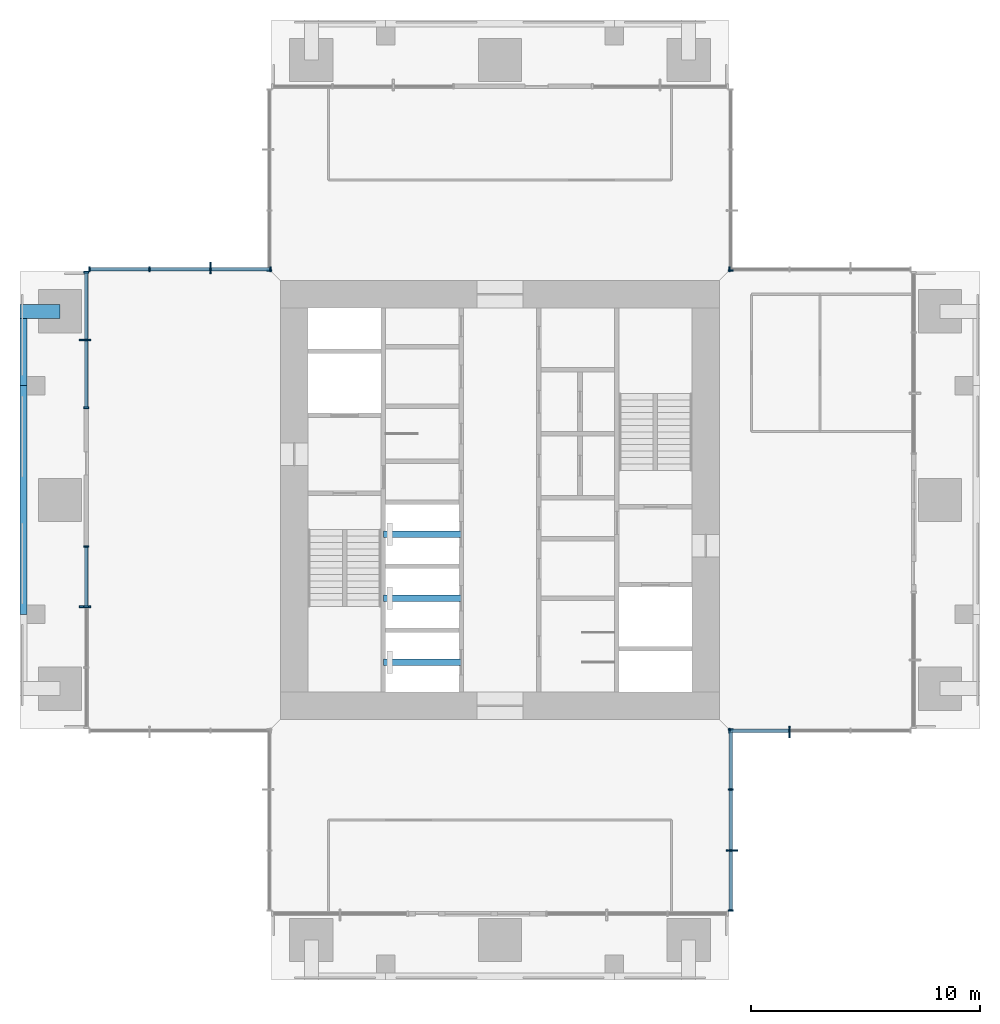
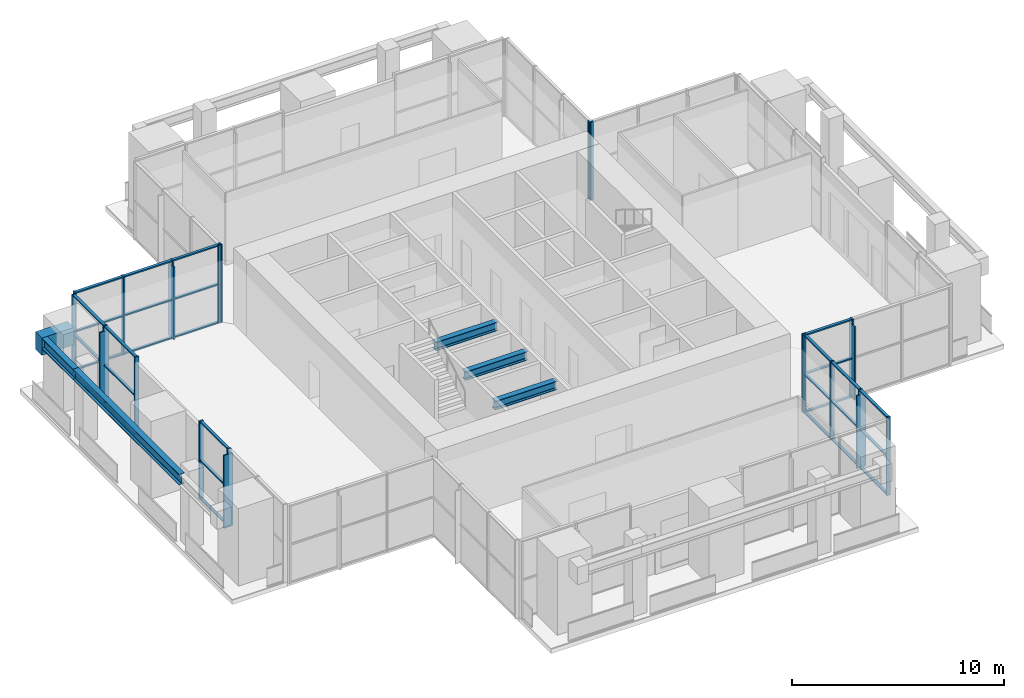
# One storey, part 3 of 11: 53 members, 6 beams, 8 elements without a shape of their own.
"""IFC4 building model written with IfcOpenShell, lengths in metres."""

from ifc_helpers import new_model, si_unit, direction, frame, origin, origin_2d, place, context, subcontext, project, spatial, rectangle, i_section, extrude, material, material_profile, profile_set, type_object, element, aggregate, save


model = new_model("IFC4")

# Units and contexts
model_context = context("Model", 3, precision=1e-05, world=origin(), true_north=direction((0.0, 1.0)))
body_context = subcontext(model_context, "Body", "Model", "MODEL_VIEW")
ifc_project = project(units=[si_unit("LENGTHUNIT", "METRE"), si_unit("AREAUNIT", "SQUARE_METRE"), si_unit("VOLUMEUNIT", "CUBIC_METRE"), si_unit("PLANEANGLEUNIT", "RADIAN"), si_unit("MASSUNIT", "GRAM", prefix="KILO")], contexts=[model_context])

# Site, building, storey
site_placement = place(None, origin())
site = spatial("IfcSite", under=ifc_project, at=site_placement, CompositionType="ELEMENT")
building_placement = place(site_placement, origin())
building = spatial("IfcBuilding", under=site, at=building_placement, Name="Svetlomir Tower", CompositionType="ELEMENT")
storey_placement = place(building_placement, frame((0.0, 0.0, 273.39990234375)))
storey = spatial("IfcBuildingStorey", under=building, at=storey_placement, Name="L65", CompositionType="ELEMENT", Elevation=273.39990234375)

# Curtain wall, member
ifc_material_1 = material(Name="Bronze anodised aluminium curtain wall", Category="aluminium")
curtain_wall_type = type_object("IfcCurtainWallType", Name="CURTAIN WALL CW4 EXECUTIVE", PredefinedType="NOTDEFINED", material=ifc_material_1)
curtain_wall_1_placement = place(storey_placement, origin())
curtain_wall_1 = element("IfcCurtainWall", 1, at=curtain_wall_1_placement, inside=storey, type_object=curtain_wall_type, Name="Curtain wall CW4 L65", PredefinedType="NOTDEFINED")
ifc_material_2 = material(Name="Bronze anodised aluminium", Category="aluminium")
ifc_material_profile_1 = material_profile(ifc_material_2, rectangle(XDim=0.080078125, YDim=0.5, at=origin_2d()), Name="FIN 80x500")
ifc_profile_set_1 = profile_set([ifc_material_profile_1], Name="Bronze anodised aluminium 6063-T6")
member_type_1 = type_object("IfcMemberType", Name="BRONZE FIN 80x500", PredefinedType="USERDEFINED", material=ifc_profile_set_1)
member_1_placement = place(storey_placement, frame((31.14990234375, 5.666748046875, 0.0), z_axis=(0.0, 0.0, 1.0), x_axis=(0.0, 1.0, 0.0)))
member_1 = element("IfcMember", 2, at=member_1_placement, type_object=member_type_1, Name="Bronze fin L65", ObjectType="FIN", PredefinedType="USERDEFINED", context=body_context, shape_type="SweptSolid", body=[
    extrude(rectangle(XDim=0.080078125, YDim=0.5, at=origin_2d()), origin(), (0.0, 0.0, 1.0), 4.2001953125),
])

curtain_wall_2_placement = place(storey_placement, origin())
curtain_wall_2 = element("IfcCurtainWall", 3, at=curtain_wall_2_placement, inside=storey, type_object=curtain_wall_type, Name="Curtain wall CW4 L65", PredefinedType="NOTDEFINED")
member_2_placement = place(storey_placement, frame((33.666748046875, 10.85009765625, 0.0), z_axis=(0.0, 0.0, 1.0), x_axis=(1.0, 0.0, 0.0)))
member_2 = element("IfcMember", 4, at=member_2_placement, type_object=member_type_1, Name="Bronze fin L65", ObjectType="FIN", PredefinedType="USERDEFINED", context=body_context, shape_type="SweptSolid", body=[
    extrude(rectangle(XDim=0.080078125, YDim=0.5, at=origin_2d()), origin(), (0.0, 0.0, 1.0), 4.2001953125),
])

curtain_wall_3_placement = place(storey_placement, origin())
curtain_wall_3 = element("IfcCurtainWall", 5, at=curtain_wall_3_placement, inside=storey, type_object=curtain_wall_type, Name="Curtain wall CW4 L65", PredefinedType="NOTDEFINED")
member_3_placement = place(storey_placement, frame((8.333251953125, 31.14990234375, 0.0), z_axis=(0.0, 0.0, 1.0), x_axis=(1.0, 0.0, 0.0)))
member_3 = element("IfcMember", 6, at=member_3_placement, type_object=member_type_1, Name="Bronze fin L65", ObjectType="FIN", PredefinedType="USERDEFINED", context=body_context, shape_type="SweptSolid", body=[
    extrude(rectangle(XDim=0.080078125, YDim=0.5, at=origin_2d()), origin(), (0.0, 0.0, 1.0), 4.2001953125),
])

curtain_wall_4_placement = place(storey_placement, origin())
curtain_wall_4 = element("IfcCurtainWall", 7, at=curtain_wall_4_placement, inside=storey, type_object=curtain_wall_type, Name="Curtain wall CW4 L65", PredefinedType="NOTDEFINED")
member_4_placement = place(storey_placement, frame((2.85009765625, 28.0, 0.0), z_axis=(0.0, 0.0, 1.0), x_axis=(0.0, 1.0, 0.0)))
member_4 = element("IfcMember", 8, at=member_4_placement, type_object=member_type_1, Name="Bronze fin L65", ObjectType="FIN", PredefinedType="USERDEFINED", context=body_context, shape_type="SweptSolid", body=[
    extrude(rectangle(XDim=0.080078125, YDim=0.5, at=origin_2d()), origin(), (0.0, 0.0, 1.0), 4.2001953125),
])

curtain_wall_5_placement = place(storey_placement, origin())
curtain_wall_5 = element("IfcCurtainWall", 9, at=curtain_wall_5_placement, inside=storey, type_object=curtain_wall_type, Name="Curtain wall CW4 L65", PredefinedType="NOTDEFINED")
member_5_placement = place(storey_placement, frame((2.85009765625, 16.333251953125, 0.0), z_axis=(0.0, 0.0, 1.0), x_axis=(0.0, 1.0, 0.0)))
member_5 = element("IfcMember", 10, at=member_5_placement, type_object=member_type_1, Name="Bronze fin L65", ObjectType="FIN", PredefinedType="USERDEFINED", context=body_context, shape_type="SweptSolid", body=[
    extrude(rectangle(XDim=0.080078125, YDim=0.5, at=origin_2d()), origin(), (0.0, 0.0, 1.0), 4.2001953125),
])

# Member
ifc_material_3 = material(Name="Bronze anodised aluminium", Category="aluminium")
ifc_material_profile_2 = material_profile(ifc_material_3, rectangle(XDim=0.074951171875, YDim=0.219970703125, at=origin_2d()), Name="AL 75x220")
ifc_profile_set_2 = profile_set([ifc_material_profile_2], Name="Bronze anodised aluminium 6063-T6")
member_type_2 = type_object("IfcMemberType", Name="CW4 MULLION 75x220", PredefinedType="MULLION", material=ifc_profile_set_2)
member_6_placement = place(storey_placement, frame((31.10009765625, 3.03759765625, 0.0), z_axis=(0.0, 0.0, 1.0), x_axis=(0.0, 1.0, 0.0)))
member_6 = element("IfcMember", 11, at=member_6_placement, type_object=member_type_2, Name="CW4 mullion 1", PredefinedType="MULLION", context=body_context, shape_type="SweptSolid", body=[
    extrude(rectangle(XDim=0.074951171875, YDim=0.219970703125, at=origin_2d()), origin(), (0.0, 0.0, 1.0), 4.5),
])

member_7_placement = place(storey_placement, frame((31.10009765625, 5.666748046875, 0.0), z_axis=(0.0, 0.0, 1.0), x_axis=(0.0, 1.0, 0.0)))
member_7 = element("IfcMember", 12, at=member_7_placement, type_object=member_type_2, Name="CW4 mullion 2", PredefinedType="MULLION", context=body_context, shape_type="SweptSolid", body=[
    extrude(rectangle(XDim=0.074951171875, YDim=0.219970703125, at=origin_2d()), origin(), (0.0, 0.0, 1.0), 4.5),
])

member_8_placement = place(storey_placement, frame((31.10009765625, 8.333251953125, 0.0), z_axis=(0.0, 0.0, 1.0), x_axis=(0.0, 1.0, 0.0)))
member_8 = element("IfcMember", 13, at=member_8_placement, type_object=member_type_2, Name="CW4 mullion 3", PredefinedType="MULLION", context=body_context, shape_type="SweptSolid", body=[
    extrude(rectangle(XDim=0.074951171875, YDim=0.219970703125, at=origin_2d()), origin(), (0.0, 0.0, 1.0), 4.5),
])

member_9_placement = place(storey_placement, frame((31.10009765625, 10.96240234375, 0.0), z_axis=(0.0, 0.0, 1.0), x_axis=(0.0, 1.0, 0.0)))
member_9 = element("IfcMember", 14, at=member_9_placement, type_object=member_type_2, Name="CW4 mullion 4", PredefinedType="MULLION", context=body_context, shape_type="SweptSolid", body=[
    extrude(rectangle(XDim=0.074951171875, YDim=0.219970703125, at=origin_2d()), origin(), (0.0, 0.0, 1.0), 4.5),
])

member_10_placement = place(storey_placement, frame((31.03759765625, 10.89990234375, 0.0), z_axis=(0.0, 0.0, 1.0), x_axis=(1.0, 0.0, 0.0)))
member_10 = element("IfcMember", 15, at=member_10_placement, type_object=member_type_2, Name="CW4 mullion 1", PredefinedType="MULLION", context=body_context, shape_type="SweptSolid", body=[
    extrude(rectangle(XDim=0.074951171875, YDim=0.219970703125, at=origin_2d()), origin(), (0.0, 0.0, 1.0), 4.5),
])

member_11_placement = place(storey_placement, frame((33.666748046875, 10.89990234375, 0.0), z_axis=(0.0, 0.0, 1.0), x_axis=(1.0, 0.0, 0.0)))
member_11 = element("IfcMember", 16, at=member_11_placement, type_object=member_type_2, Name="CW4 mullion 2", PredefinedType="MULLION", context=body_context, shape_type="SweptSolid", body=[
    extrude(rectangle(XDim=0.074951171875, YDim=0.219970703125, at=origin_2d()), origin(), (0.0, 0.0, 1.0), 4.5),
])

# Curtain wall, member
curtain_wall_6_placement = place(storey_placement, origin())
curtain_wall_6 = element("IfcCurtainWall", 17, at=curtain_wall_6_placement, inside=storey, type_object=curtain_wall_type, Name="Curtain wall CW4 L65", PredefinedType="NOTDEFINED")
member_12_placement = place(storey_placement, frame((31.03759765625, 31.10009765625, 0.0), z_axis=(0.0, 0.0, 1.0), x_axis=(-1.0, 0.0, 0.0)))
member_12 = element("IfcMember", 18, at=member_12_placement, type_object=member_type_2, Name="CW4 mullion 4", PredefinedType="MULLION", context=body_context, shape_type="SweptSolid", body=[
    extrude(rectangle(XDim=0.074951171875, YDim=0.219970703125, at=origin_2d()), origin(), (0.0, 0.0, 1.0), 4.5),
])
aggregate(curtain_wall_6, [member_12])

curtain_wall_7_placement = place(storey_placement, origin())
curtain_wall_7 = element("IfcCurtainWall", 19, at=curtain_wall_7_placement, inside=storey, type_object=curtain_wall_type, Name="Curtain wall CW4 L65", PredefinedType="NOTDEFINED")
member_13_placement = place(storey_placement, frame((31.10009765625, 31.03759765625, 0.0), z_axis=(0.0, 0.0, 1.0), x_axis=(0.0, 1.0, 0.0)))
member_13 = element("IfcMember", 20, at=member_13_placement, type_object=member_type_2, Name="CW4 mullion 1", PredefinedType="MULLION", context=body_context, shape_type="SweptSolid", body=[
    extrude(rectangle(XDim=0.074951171875, YDim=0.219970703125, at=origin_2d()), origin(), (0.0, 0.0, 1.0), 4.5),
])
aggregate(curtain_wall_7, [member_13])

curtain_wall_8_placement = place(storey_placement, origin())
curtain_wall_8 = element("IfcCurtainWall", 21, at=curtain_wall_8_placement, inside=storey, type_object=curtain_wall_type, Name="Curtain wall CW4 L65", PredefinedType="NOTDEFINED")
member_14_placement = place(storey_placement, frame((10.89990234375, 31.03759765625, 0.0), z_axis=(0.0, 0.0, 1.0), x_axis=(0.0, -1.0, 0.0)))
member_14 = element("IfcMember", 22, at=member_14_placement, type_object=member_type_2, Name="CW4 mullion 4", PredefinedType="MULLION", context=body_context, shape_type="SweptSolid", body=[
    extrude(rectangle(XDim=0.074951171875, YDim=0.219970703125, at=origin_2d()), origin(), (0.0, 0.0, 1.0), 4.5),
])
aggregate(curtain_wall_8, [member_14])

# Member
member_15_placement = place(storey_placement, frame((10.96240234375, 31.10009765625, 0.0), z_axis=(0.0, 0.0, 1.0), x_axis=(-1.0, 0.0, 0.0)))
member_15 = element("IfcMember", 23, at=member_15_placement, type_object=member_type_2, Name="CW4 mullion 1", PredefinedType="MULLION", context=body_context, shape_type="SweptSolid", body=[
    extrude(rectangle(XDim=0.074951171875, YDim=0.219970703125, at=origin_2d()), origin(), (0.0, 0.0, 1.0), 4.5),
])

member_16_placement = place(storey_placement, frame((8.333251953125, 31.10009765625, 0.0), z_axis=(0.0, 0.0, 1.0), x_axis=(-1.0, 0.0, 0.0)))
member_16 = element("IfcMember", 24, at=member_16_placement, type_object=member_type_2, Name="CW4 mullion 2", PredefinedType="MULLION", context=body_context, shape_type="SweptSolid", body=[
    extrude(rectangle(XDim=0.074951171875, YDim=0.219970703125, at=origin_2d()), origin(), (0.0, 0.0, 1.0), 4.5),
])

member_17_placement = place(storey_placement, frame((5.666748046875, 31.10009765625, 0.0), z_axis=(0.0, 0.0, 1.0), x_axis=(-1.0, 0.0, 0.0)))
member_17 = element("IfcMember", 25, at=member_17_placement, type_object=member_type_2, Name="CW4 mullion 3", PredefinedType="MULLION", context=body_context, shape_type="SweptSolid", body=[
    extrude(rectangle(XDim=0.074951171875, YDim=0.219970703125, at=origin_2d()), origin(), (0.0, 0.0, 1.0), 4.5),
])

member_18_placement = place(storey_placement, frame((3.03759765625, 31.10009765625, 0.0), z_axis=(0.0, 0.0, 1.0), x_axis=(-1.0, 0.0, 0.0)))
member_18 = element("IfcMember", 26, at=member_18_placement, type_object=member_type_2, Name="CW4 mullion 4", PredefinedType="MULLION", context=body_context, shape_type="SweptSolid", body=[
    extrude(rectangle(XDim=0.074951171875, YDim=0.219970703125, at=origin_2d()), origin(), (0.0, 0.0, 1.0), 4.5),
])

member_19_placement = place(storey_placement, frame((2.89990234375, 30.96240234375, 0.0), z_axis=(0.0, 0.0, 1.0), x_axis=(0.0, -1.0, 0.0)))
member_19 = element("IfcMember", 27, at=member_19_placement, type_object=member_type_2, Name="CW4 mullion 1", PredefinedType="MULLION", context=body_context, shape_type="SweptSolid", body=[
    extrude(rectangle(XDim=0.074951171875, YDim=0.219970703125, at=origin_2d()), origin(), (0.0, 0.0, 1.0), 4.5),
])

member_20_placement = place(storey_placement, frame((2.89990234375, 28.0, 0.0), z_axis=(0.0, 0.0, 1.0), x_axis=(0.0, -1.0, 0.0)))
member_20 = element("IfcMember", 28, at=member_20_placement, type_object=member_type_2, Name="CW4 mullion 2", PredefinedType="MULLION", context=body_context, shape_type="SweptSolid", body=[
    extrude(rectangle(XDim=0.074951171875, YDim=0.219970703125, at=origin_2d()), origin(), (0.0, 0.0, 1.0), 4.5),
])

member_21_placement = place(storey_placement, frame((2.89990234375, 25.03759765625, 0.0), z_axis=(0.0, 0.0, 1.0), x_axis=(0.0, -1.0, 0.0)))
member_21 = element("IfcMember", 29, at=member_21_placement, type_object=member_type_2, Name="CW4 mullion 3", PredefinedType="MULLION", context=body_context, shape_type="SweptSolid", body=[
    extrude(rectangle(XDim=0.074951171875, YDim=0.219970703125, at=origin_2d()), origin(), (0.0, 0.0, 1.0), 4.5),
])

member_22_placement = place(storey_placement, frame((2.89990234375, 18.96240234375, 0.0), z_axis=(0.0, 0.0, 1.0), x_axis=(0.0, -1.0, 0.0)))
member_22 = element("IfcMember", 30, at=member_22_placement, type_object=member_type_2, Name="CW4 mullion 1", PredefinedType="MULLION", context=body_context, shape_type="SweptSolid", body=[
    extrude(rectangle(XDim=0.074951171875, YDim=0.219970703125, at=origin_2d()), origin(), (0.0, 0.0, 1.0), 4.5),
])

member_23_placement = place(storey_placement, frame((2.89990234375, 16.333251953125, 0.0), z_axis=(0.0, 0.0, 1.0), x_axis=(0.0, -1.0, 0.0)))
member_23 = element("IfcMember", 31, at=member_23_placement, type_object=member_type_2, Name="CW4 mullion 2", PredefinedType="MULLION", context=body_context, shape_type="SweptSolid", body=[
    extrude(rectangle(XDim=0.074951171875, YDim=0.219970703125, at=origin_2d()), origin(), (0.0, 0.0, 1.0), 4.5),
])

ifc_material_4 = material(Name="Bronze anodised aluminium", Category="aluminium")
ifc_material_profile_3 = material_profile(ifc_material_4, rectangle(XDim=0.14990234375, YDim=0.074951171875, at=origin_2d()), Name="AL 150x75")
ifc_profile_set_3 = profile_set([ifc_material_profile_3], Name="Bronze anodised aluminium 6063-T6")
member_type_3 = type_object("IfcMemberType", Name="CW4 TRANSOM 75x150", PredefinedType="USERDEFINED", material=ifc_profile_set_3)
member_24_placement = place(storey_placement, frame((31.10009765625, 3.074951171875, 0.03759765625), z_axis=(0.0, 1.0, 0.0), x_axis=(-1.0, 0.0, 0.0)))
member_24 = element("IfcMember", 32, at=member_24_placement, type_object=member_type_3, Name="CW4 transom 1.1", ObjectType="TRANSOM", PredefinedType="USERDEFINED", context=body_context, shape_type="SweptSolid", body=[
    extrude(rectangle(XDim=0.14990234375, YDim=0.074951171875, at=origin_2d()), origin(), (0.0, 0.0, 1.0), 2.55419921875),
])

member_25_placement = place(storey_placement, frame((31.10009765625, 3.074951171875, 2.231201171875), z_axis=(0.0, 1.0, 0.0), x_axis=(-1.0, 0.0, 0.0)))
member_25 = element("IfcMember", 33, at=member_25_placement, type_object=member_type_3, Name="CW4 transom 1.2", ObjectType="TRANSOM", PredefinedType="USERDEFINED", context=body_context, shape_type="SweptSolid", body=[
    extrude(rectangle(XDim=0.14990234375, YDim=0.074951171875, at=origin_2d()), origin(), (0.0, 0.0, 1.0), 2.55419921875),
])

member_26_placement = place(storey_placement, frame((31.10009765625, 3.074951171875, 4.462646484375), z_axis=(0.0, 1.0, 0.0), x_axis=(-1.0, 0.0, 0.0)))
member_26 = element("IfcMember", 34, at=member_26_placement, type_object=member_type_3, Name="CW4 transom 1.3", ObjectType="TRANSOM", PredefinedType="USERDEFINED", context=body_context, shape_type="SweptSolid", body=[
    extrude(rectangle(XDim=0.14990234375, YDim=0.074951171875, at=origin_2d()), origin(), (0.0, 0.0, 1.0), 2.55419921875),
])

member_27_placement = place(storey_placement, frame((31.10009765625, 5.7041015625, 0.03759765625), z_axis=(0.0, 1.0, 0.0), x_axis=(-1.0, 0.0, 0.0)))
member_27 = element("IfcMember", 35, at=member_27_placement, type_object=member_type_3, Name="CW4 transom 2.1", ObjectType="TRANSOM", PredefinedType="USERDEFINED", context=body_context, shape_type="SweptSolid", body=[
    extrude(rectangle(XDim=0.14990234375, YDim=0.074951171875, at=origin_2d()), origin(), (0.0, 0.0, 1.0), 2.591796875),
])

member_28_placement = place(storey_placement, frame((31.10009765625, 5.7041015625, 2.231201171875), z_axis=(0.0, 1.0, 0.0), x_axis=(-1.0, 0.0, 0.0)))
member_28 = element("IfcMember", 36, at=member_28_placement, type_object=member_type_3, Name="CW4 transom 2.2", ObjectType="TRANSOM", PredefinedType="USERDEFINED", context=body_context, shape_type="SweptSolid", body=[
    extrude(rectangle(XDim=0.14990234375, YDim=0.074951171875, at=origin_2d()), origin(), (0.0, 0.0, 1.0), 2.591796875),
])

member_29_placement = place(storey_placement, frame((31.10009765625, 5.7041015625, 4.462646484375), z_axis=(0.0, 1.0, 0.0), x_axis=(-1.0, 0.0, 0.0)))
member_29 = element("IfcMember", 37, at=member_29_placement, type_object=member_type_3, Name="CW4 transom 2.3", ObjectType="TRANSOM", PredefinedType="USERDEFINED", context=body_context, shape_type="SweptSolid", body=[
    extrude(rectangle(XDim=0.14990234375, YDim=0.074951171875, at=origin_2d()), origin(), (0.0, 0.0, 1.0), 2.591796875),
])

member_30_placement = place(storey_placement, frame((31.10009765625, 8.370849609375, 0.03759765625), z_axis=(0.0, 1.0, 0.0), x_axis=(-1.0, 0.0, 0.0)))
member_30 = element("IfcMember", 38, at=member_30_placement, type_object=member_type_3, Name="CW4 transom 3.1", ObjectType="TRANSOM", PredefinedType="USERDEFINED", context=body_context, shape_type="SweptSolid", body=[
    extrude(rectangle(XDim=0.14990234375, YDim=0.074951171875, at=origin_2d()), origin(), (0.0, 0.0, 1.0), 2.55419921875),
])

member_31_placement = place(storey_placement, frame((31.10009765625, 8.370849609375, 2.231201171875), z_axis=(0.0, 1.0, 0.0), x_axis=(-1.0, 0.0, 0.0)))
member_31 = element("IfcMember", 39, at=member_31_placement, type_object=member_type_3, Name="CW4 transom 3.2", ObjectType="TRANSOM", PredefinedType="USERDEFINED", context=body_context, shape_type="SweptSolid", body=[
    extrude(rectangle(XDim=0.14990234375, YDim=0.074951171875, at=origin_2d()), origin(), (0.0, 0.0, 1.0), 2.55419921875),
])

member_32_placement = place(storey_placement, frame((31.10009765625, 8.370849609375, 4.462646484375), z_axis=(0.0, 1.0, 0.0), x_axis=(-1.0, 0.0, 0.0)))
member_32 = element("IfcMember", 40, at=member_32_placement, type_object=member_type_3, Name="CW4 transom 3.3", ObjectType="TRANSOM", PredefinedType="USERDEFINED", context=body_context, shape_type="SweptSolid", body=[
    extrude(rectangle(XDim=0.14990234375, YDim=0.074951171875, at=origin_2d()), origin(), (0.0, 0.0, 1.0), 2.55419921875),
])

aggregate(curtain_wall_1, [member_6, member_7, member_8, member_9, member_24, member_25, member_26, member_27, member_28, member_29, member_30, member_31, member_32, member_1])

member_33_placement = place(storey_placement, frame((31.074951171875, 10.89990234375, 0.03759765625), z_axis=(1.0, 0.0, 0.0), x_axis=(0.0, 1.0, 0.0)))
member_33 = element("IfcMember", 41, at=member_33_placement, type_object=member_type_3, Name="CW4 transom 1.1", ObjectType="TRANSOM", PredefinedType="USERDEFINED", context=body_context, shape_type="SweptSolid", body=[
    extrude(rectangle(XDim=0.14990234375, YDim=0.074951171875, at=origin_2d()), origin(), (0.0, 0.0, 1.0), 2.55419921875),
])

member_34_placement = place(storey_placement, frame((31.074951171875, 10.89990234375, 2.231201171875), z_axis=(1.0, 0.0, 0.0), x_axis=(0.0, 1.0, 0.0)))
member_34 = element("IfcMember", 42, at=member_34_placement, type_object=member_type_3, Name="CW4 transom 1.2", ObjectType="TRANSOM", PredefinedType="USERDEFINED", context=body_context, shape_type="SweptSolid", body=[
    extrude(rectangle(XDim=0.14990234375, YDim=0.074951171875, at=origin_2d()), origin(), (0.0, 0.0, 1.0), 2.55419921875),
])

member_35_placement = place(storey_placement, frame((31.074951171875, 10.89990234375, 4.462646484375), z_axis=(1.0, 0.0, 0.0), x_axis=(0.0, 1.0, 0.0)))
member_35 = element("IfcMember", 43, at=member_35_placement, type_object=member_type_3, Name="CW4 transom 1.3", ObjectType="TRANSOM", PredefinedType="USERDEFINED", context=body_context, shape_type="SweptSolid", body=[
    extrude(rectangle(XDim=0.14990234375, YDim=0.074951171875, at=origin_2d()), origin(), (0.0, 0.0, 1.0), 2.55419921875),
])

aggregate(curtain_wall_2, [member_10, member_11, member_33, member_34, member_35, member_2])

member_36_placement = place(storey_placement, frame((10.925048828125, 31.10009765625, 0.03759765625), z_axis=(-1.0, 0.0, 0.0), x_axis=(0.0, -1.0, 0.0)))
member_36 = element("IfcMember", 44, at=member_36_placement, type_object=member_type_3, Name="CW4 transom 1.1", ObjectType="TRANSOM", PredefinedType="USERDEFINED", context=body_context, shape_type="SweptSolid", body=[
    extrude(rectangle(XDim=0.14990234375, YDim=0.074951171875, at=origin_2d()), origin(), (0.0, 0.0, 1.0), 2.55419921875),
])

member_37_placement = place(storey_placement, frame((10.925048828125, 31.10009765625, 2.231201171875), z_axis=(-1.0, 0.0, 0.0), x_axis=(0.0, -1.0, 0.0)))
member_37 = element("IfcMember", 45, at=member_37_placement, type_object=member_type_3, Name="CW4 transom 1.2", ObjectType="TRANSOM", PredefinedType="USERDEFINED", context=body_context, shape_type="SweptSolid", body=[
    extrude(rectangle(XDim=0.14990234375, YDim=0.074951171875, at=origin_2d()), origin(), (0.0, 0.0, 1.0), 2.55419921875),
])

member_38_placement = place(storey_placement, frame((10.925048828125, 31.10009765625, 4.462646484375), z_axis=(-1.0, 0.0, 0.0), x_axis=(0.0, -1.0, 0.0)))
member_38 = element("IfcMember", 46, at=member_38_placement, type_object=member_type_3, Name="CW4 transom 1.3", ObjectType="TRANSOM", PredefinedType="USERDEFINED", context=body_context, shape_type="SweptSolid", body=[
    extrude(rectangle(XDim=0.14990234375, YDim=0.074951171875, at=origin_2d()), origin(), (0.0, 0.0, 1.0), 2.55419921875),
])

member_39_placement = place(storey_placement, frame((8.2958984375, 31.10009765625, 0.03759765625), z_axis=(-1.0, 0.0, 0.0), x_axis=(0.0, -1.0, 0.0)))
member_39 = element("IfcMember", 47, at=member_39_placement, type_object=member_type_3, Name="CW4 transom 2.1", ObjectType="TRANSOM", PredefinedType="USERDEFINED", context=body_context, shape_type="SweptSolid", body=[
    extrude(rectangle(XDim=0.14990234375, YDim=0.074951171875, at=origin_2d()), origin(), (0.0, 0.0, 1.0), 2.591796875),
])

member_40_placement = place(storey_placement, frame((8.2958984375, 31.10009765625, 2.231201171875), z_axis=(-1.0, 0.0, 0.0), x_axis=(0.0, -1.0, 0.0)))
member_40 = element("IfcMember", 48, at=member_40_placement, type_object=member_type_3, Name="CW4 transom 2.2", ObjectType="TRANSOM", PredefinedType="USERDEFINED", context=body_context, shape_type="SweptSolid", body=[
    extrude(rectangle(XDim=0.14990234375, YDim=0.074951171875, at=origin_2d()), origin(), (0.0, 0.0, 1.0), 2.591796875),
])

member_41_placement = place(storey_placement, frame((8.2958984375, 31.10009765625, 4.462646484375), z_axis=(-1.0, 0.0, 0.0), x_axis=(0.0, -1.0, 0.0)))
member_41 = element("IfcMember", 49, at=member_41_placement, type_object=member_type_3, Name="CW4 transom 2.3", ObjectType="TRANSOM", PredefinedType="USERDEFINED", context=body_context, shape_type="SweptSolid", body=[
    extrude(rectangle(XDim=0.14990234375, YDim=0.074951171875, at=origin_2d()), origin(), (0.0, 0.0, 1.0), 2.591796875),
])

member_42_placement = place(storey_placement, frame((5.629150390625, 31.10009765625, 0.03759765625), z_axis=(-1.0, 0.0, 0.0), x_axis=(0.0, -1.0, 0.0)))
member_42 = element("IfcMember", 50, at=member_42_placement, type_object=member_type_3, Name="CW4 transom 3.1", ObjectType="TRANSOM", PredefinedType="USERDEFINED", context=body_context, shape_type="SweptSolid", body=[
    extrude(rectangle(XDim=0.14990234375, YDim=0.074951171875, at=origin_2d()), origin(), (0.0, 0.0, 1.0), 2.55419921875),
])

member_43_placement = place(storey_placement, frame((5.629150390625, 31.10009765625, 2.231201171875), z_axis=(-1.0, 0.0, 0.0), x_axis=(0.0, -1.0, 0.0)))
member_43 = element("IfcMember", 51, at=member_43_placement, type_object=member_type_3, Name="CW4 transom 3.2", ObjectType="TRANSOM", PredefinedType="USERDEFINED", context=body_context, shape_type="SweptSolid", body=[
    extrude(rectangle(XDim=0.14990234375, YDim=0.074951171875, at=origin_2d()), origin(), (0.0, 0.0, 1.0), 2.55419921875),
])

member_44_placement = place(storey_placement, frame((5.629150390625, 31.10009765625, 4.462646484375), z_axis=(-1.0, 0.0, 0.0), x_axis=(0.0, -1.0, 0.0)))
member_44 = element("IfcMember", 52, at=member_44_placement, type_object=member_type_3, Name="CW4 transom 3.3", ObjectType="TRANSOM", PredefinedType="USERDEFINED", context=body_context, shape_type="SweptSolid", body=[
    extrude(rectangle(XDim=0.14990234375, YDim=0.074951171875, at=origin_2d()), origin(), (0.0, 0.0, 1.0), 2.55419921875),
])

aggregate(curtain_wall_3, [member_15, member_16, member_17, member_18, member_36, member_37, member_38, member_39, member_40, member_41, member_42, member_43, member_44, member_3])

member_45_placement = place(storey_placement, frame((2.89990234375, 30.925048828125, 0.03759765625), z_axis=(0.0, -1.0, 0.0), x_axis=(1.0, 0.0, 0.0)))
member_45 = element("IfcMember", 53, at=member_45_placement, type_object=member_type_3, Name="CW4 transom 1.1", ObjectType="TRANSOM", PredefinedType="USERDEFINED", context=body_context, shape_type="SweptSolid", body=[
    extrude(rectangle(XDim=0.14990234375, YDim=0.074951171875, at=origin_2d()), origin(), (0.0, 0.0, 1.0), 2.887451171875),
])

member_46_placement = place(storey_placement, frame((2.89990234375, 30.925048828125, 2.231201171875), z_axis=(0.0, -1.0, 0.0), x_axis=(1.0, 0.0, 0.0)))
member_46 = element("IfcMember", 54, at=member_46_placement, type_object=member_type_3, Name="CW4 transom 1.2", ObjectType="TRANSOM", PredefinedType="USERDEFINED", context=body_context, shape_type="SweptSolid", body=[
    extrude(rectangle(XDim=0.14990234375, YDim=0.074951171875, at=origin_2d()), origin(), (0.0, 0.0, 1.0), 2.887451171875),
])

member_47_placement = place(storey_placement, frame((2.89990234375, 30.925048828125, 4.462646484375), z_axis=(0.0, -1.0, 0.0), x_axis=(1.0, 0.0, 0.0)))
member_47 = element("IfcMember", 55, at=member_47_placement, type_object=member_type_3, Name="CW4 transom 1.3", ObjectType="TRANSOM", PredefinedType="USERDEFINED", context=body_context, shape_type="SweptSolid", body=[
    extrude(rectangle(XDim=0.14990234375, YDim=0.074951171875, at=origin_2d()), origin(), (0.0, 0.0, 1.0), 2.887451171875),
])

member_48_placement = place(storey_placement, frame((2.89990234375, 27.96240234375, 0.03759765625), z_axis=(0.0, -1.0, 0.0), x_axis=(1.0, 0.0, 0.0)))
member_48 = element("IfcMember", 56, at=member_48_placement, type_object=member_type_3, Name="CW4 transom 2.1", ObjectType="TRANSOM", PredefinedType="USERDEFINED", context=body_context, shape_type="SweptSolid", body=[
    extrude(rectangle(XDim=0.14990234375, YDim=0.074951171875, at=origin_2d()), origin(), (0.0, 0.0, 1.0), 2.887451171875),
])

member_49_placement = place(storey_placement, frame((2.89990234375, 27.96240234375, 2.231201171875), z_axis=(0.0, -1.0, 0.0), x_axis=(1.0, 0.0, 0.0)))
member_49 = element("IfcMember", 57, at=member_49_placement, type_object=member_type_3, Name="CW4 transom 2.2", ObjectType="TRANSOM", PredefinedType="USERDEFINED", context=body_context, shape_type="SweptSolid", body=[
    extrude(rectangle(XDim=0.14990234375, YDim=0.074951171875, at=origin_2d()), origin(), (0.0, 0.0, 1.0), 2.887451171875),
])

member_50_placement = place(storey_placement, frame((2.89990234375, 27.96240234375, 4.462646484375), z_axis=(0.0, -1.0, 0.0), x_axis=(1.0, 0.0, 0.0)))
member_50 = element("IfcMember", 58, at=member_50_placement, type_object=member_type_3, Name="CW4 transom 2.3", ObjectType="TRANSOM", PredefinedType="USERDEFINED", context=body_context, shape_type="SweptSolid", body=[
    extrude(rectangle(XDim=0.14990234375, YDim=0.074951171875, at=origin_2d()), origin(), (0.0, 0.0, 1.0), 2.887451171875),
])

aggregate(curtain_wall_4, [member_19, member_20, member_21, member_45, member_46, member_47, member_48, member_49, member_50, member_4])

member_51_placement = place(storey_placement, frame((2.89990234375, 18.925048828125, 0.03759765625), z_axis=(0.0, -1.0, 0.0), x_axis=(1.0, 0.0, 0.0)))
member_51 = element("IfcMember", 59, at=member_51_placement, type_object=member_type_3, Name="CW4 transom 1.1", ObjectType="TRANSOM", PredefinedType="USERDEFINED", context=body_context, shape_type="SweptSolid", body=[
    extrude(rectangle(XDim=0.14990234375, YDim=0.074951171875, at=origin_2d()), origin(), (0.0, 0.0, 1.0), 2.55419921875),
])

member_52_placement = place(storey_placement, frame((2.89990234375, 18.925048828125, 2.231201171875), z_axis=(0.0, -1.0, 0.0), x_axis=(1.0, 0.0, 0.0)))
member_52 = element("IfcMember", 60, at=member_52_placement, type_object=member_type_3, Name="CW4 transom 1.2", ObjectType="TRANSOM", PredefinedType="USERDEFINED", context=body_context, shape_type="SweptSolid", body=[
    extrude(rectangle(XDim=0.14990234375, YDim=0.074951171875, at=origin_2d()), origin(), (0.0, 0.0, 1.0), 2.55419921875),
])

member_53_placement = place(storey_placement, frame((2.89990234375, 18.925048828125, 4.462646484375), z_axis=(0.0, -1.0, 0.0), x_axis=(1.0, 0.0, 0.0)))
member_53 = element("IfcMember", 61, at=member_53_placement, type_object=member_type_3, Name="CW4 transom 1.3", ObjectType="TRANSOM", PredefinedType="USERDEFINED", context=body_context, shape_type="SweptSolid", body=[
    extrude(rectangle(XDim=0.14990234375, YDim=0.074951171875, at=origin_2d()), origin(), (0.0, 0.0, 1.0), 2.55419921875),
])

aggregate(curtain_wall_5, [member_22, member_23, member_51, member_52, member_53, member_5])

# Beams
ifc_material_5 = material(Name="Steel S355", Category="steel")
ifc_material_profile_4 = material_profile(ifc_material_5, i_section(OverallWidth=0.304931640625, OverallDepth=0.6201171875, WebThickness=0.02099609375, FlangeThickness=0.0400390625, FilletRadius=0.027099609375, at=origin_2d()), Name="HEM 600")
ifc_profile_set_4 = profile_set([ifc_material_profile_4], Name="Steel S355")
beam_type_1 = type_object("IfcBeamType", Name="EDGE BEAM HEM 600", PredefinedType="SPANDREL", material=ifc_profile_set_4)
beam_1_placement = place(storey_placement, frame((0.152587890625, 16.0, 3.89013671875), z_axis=(0.0, 1.0, 0.0), x_axis=(-1.0, 0.0, 0.0)))
element("IfcBeam", 62, at=beam_1_placement, inside=storey, type_object=beam_type_1, Name="Edge beam 0/16 to 0/26 under L66", PredefinedType="SPANDREL", context=body_context, shape_type="SweptSolid", body=[
    extrude(i_section(OverallWidth=0.304931640625, OverallDepth=0.6201171875, WebThickness=0.02099609375, FlangeThickness=0.0400390625, FilletRadius=0.027099609375, at=origin_2d()), origin(), (0.0, 0.0, 1.0), 10.0),
])
beam_2_placement = place(storey_placement, frame((0.152587890625, 26.0, 3.89013671875), z_axis=(0.0, 1.0, 0.0), x_axis=(-1.0, 0.0, 0.0)))
element("IfcBeam", 63, at=beam_2_placement, inside=storey, type_object=beam_type_1, Name="Edge beam 0/26 to 0/31 under L66", PredefinedType="SPANDREL", context=body_context, shape_type="SweptSolid", body=[
    extrude(i_section(OverallWidth=0.304931640625, OverallDepth=0.6201171875, WebThickness=0.02099609375, FlangeThickness=0.0400390625, FilletRadius=0.027099609375, at=origin_2d()), origin(), (0.0, 0.0, 1.0), 2.949951171875),
])
ifc_material_6 = material(Name="Concrete C60/75", Category="concrete")
ifc_material_profile_5 = material_profile(ifc_material_6, rectangle(XDim=0.60009765625, YDim=1.0, at=origin_2d()), Name="RC 600x1000")
ifc_profile_set_5 = profile_set([ifc_material_profile_5], Name="Concrete C60/75")
beam_type_2 = type_object("IfcBeamType", Name="EDGE LINK BEAM RC 600x1000", PredefinedType="BEAM", material=ifc_profile_set_5)
beam_3_placement = place(storey_placement, frame((1.75, 29.25, 3.7001953125), z_axis=(-1.0, 0.0, 0.0), x_axis=(0.0, -1.0, 0.0)))
element("IfcBeam", 64, at=beam_3_placement, inside=storey, type_object=beam_type_2, Name="Edge link beam W 0/31 under L66", PredefinedType="BEAM", context=body_context, shape_type="SweptSolid", body=[
    extrude(rectangle(XDim=0.60009765625, YDim=1.0, at=origin_2d()), origin(), (0.0, 0.0, 1.0), 1.75),
])
ifc_material_7 = material(Name="Steel S355", Category="steel")
ifc_material_profile_6 = material_profile(ifc_material_7, i_section(OverallWidth=0.300048828125, OverallDepth=0.5, WebThickness=0.014404296875, FlangeThickness=0.028076171875, FilletRadius=0.027099609375, at=origin_2d()), Name="HEB 500")
ifc_profile_set_6 = profile_set([ifc_material_profile_6], Name="Steel S355")
beam_type_3 = type_object("IfcBeamType", Name="LIFTING BEAM HEB 500", PredefinedType="BEAM", material=ifc_profile_set_6)
for number, where, z_axis, x_axis, name in (
    (65, (15.89990234375, 13.89990234375, 3.9501953125), (1.0, 0.0, 0.0), (0.0, 1.0, 0.0), "Lifting beam over shaft BANK-W1"),
    (66, (15.89990234375, 16.699951171875, 3.9501953125), (1.0, 0.0, 0.0), (0.0, 1.0, 0.0), "Lifting beam over shaft BANK-W2"),
    (67, (15.89990234375, 19.5, 3.9501953125), (1.0, 0.0, 0.0), (0.0, 1.0, 0.0), "Lifting beam over shaft BANK-W3"),
):
    element("IfcBeam", number, at=place(storey_placement, frame(where, z_axis=z_axis, x_axis=x_axis)), inside=storey, type_object=beam_type_3, Name=name, PredefinedType="BEAM", context=body_context, shape_type="SweptSolid", body=[
        extrude(i_section(OverallWidth=0.300048828125, OverallDepth=0.5, WebThickness=0.014404296875, FlangeThickness=0.028076171875, FilletRadius=0.027099609375, at=origin_2d()), origin(), (0.0, 0.0, 1.0), 3.400146484375),
    ])

save(model, "model.ifc")
